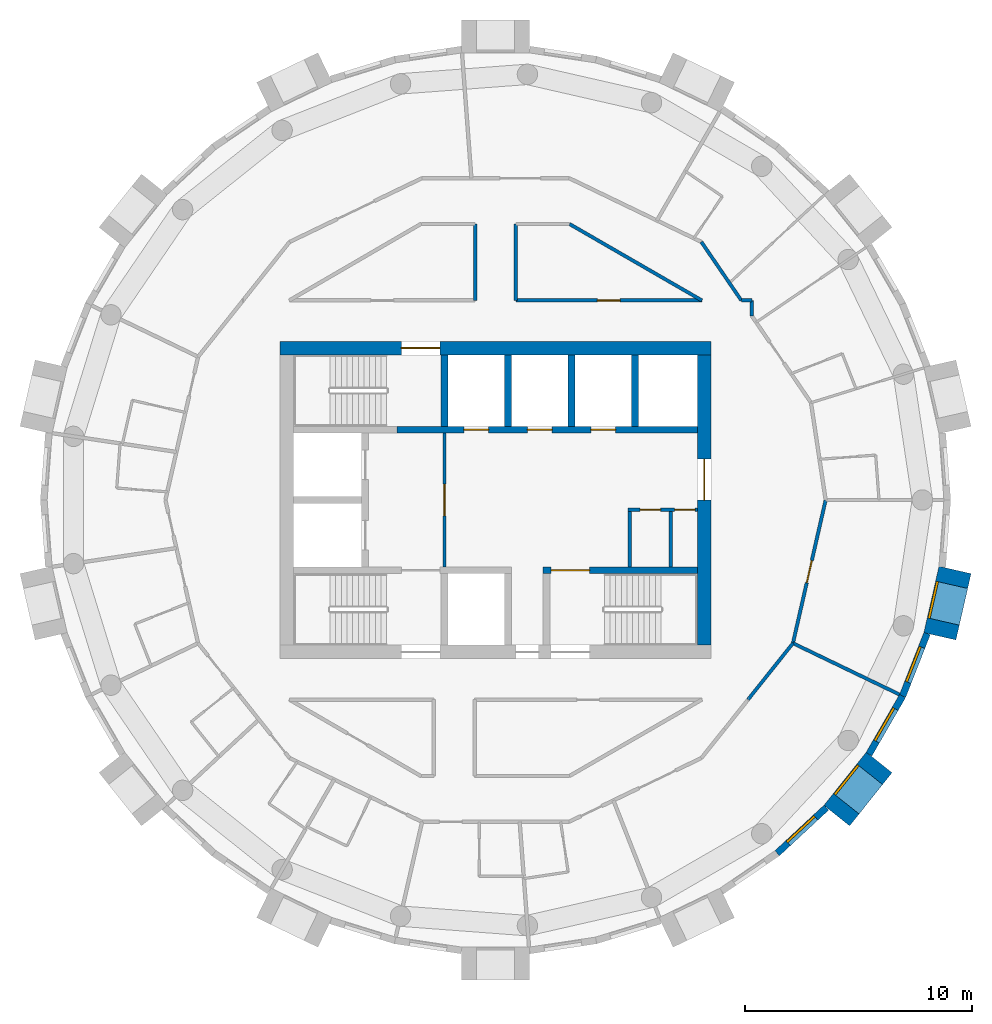
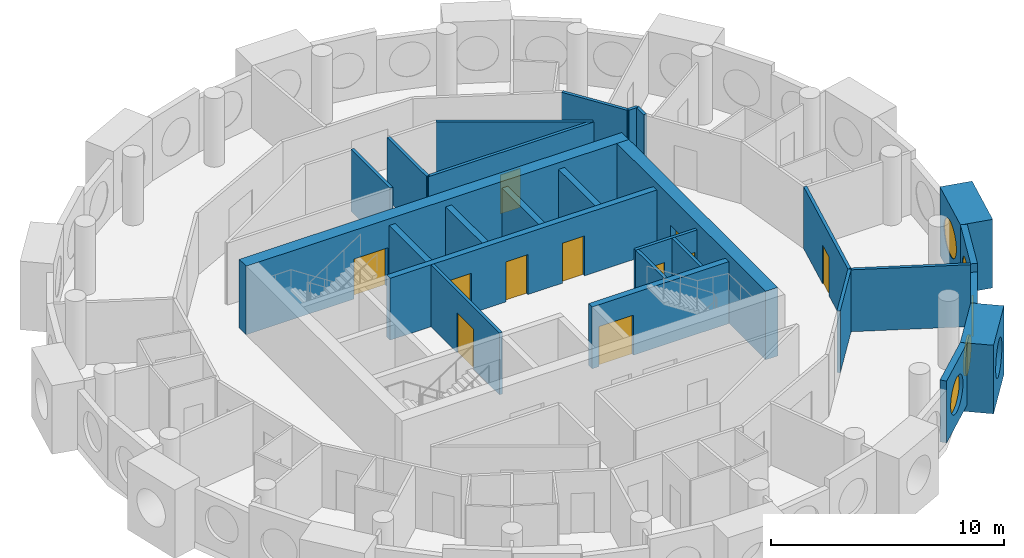
# One storey, part 8 of 12: 27 walls, 11 doors, 5 windows, 16 openings.
"""IFC4 building model written with IfcOpenShell, lengths in metres."""

from ifc_helpers import new_model, si_unit, direction, frame, frame_2d, origin, origin_2d, place, context, subcontext, project, spatial, rectangle, circle, extrude, material, layer, layer_set, type_object, element, fill, save


model = new_model("IFC4")

# Units and contexts
model_context = context("Model", 3, precision=1e-05, world=origin(), true_north=direction((0.0, 1.0)))
body_context = subcontext(model_context, "Body", "Model", "MODEL_VIEW")
ifc_project = project(units=[si_unit("LENGTHUNIT", "METRE"), si_unit("AREAUNIT", "SQUARE_METRE"), si_unit("VOLUMEUNIT", "CUBIC_METRE"), si_unit("PLANEANGLEUNIT", "RADIAN"), si_unit("MASSUNIT", "GRAM", prefix="KILO")], contexts=[model_context])

# Site, building, storey
site_placement = place(None, origin())
site = spatial("IfcSite", under=ifc_project, at=site_placement, CompositionType="ELEMENT")
building_placement = place(site_placement, origin())
building = spatial("IfcBuilding", under=site, at=building_placement, Name="Tracery Tower", CompositionType="ELEMENT")
storey_placement = place(building_placement, frame((0.0, 0.0, 287.39990234375)))
storey = spatial("IfcBuildingStorey", under=building, at=storey_placement, Name="L74", CompositionType="ELEMENT", Elevation=287.39990234375)

# Wall, opening, door
ifc_material_1 = material(Name="Plasterboard on steel studs", Category="steel")
ifc_layer_1 = layer(ifc_material_1, 0.14990234375)
ifc_layer_set_1 = layer_set([ifc_layer_1], Name="Core lobby partition 150")
wall_type_1 = type_object("IfcWallType", Name="Core lobby partition 150", PredefinedType="SOLIDWALL", material=ifc_layer_set_1)
wall_1_placement = place(storey_placement, frame((-2.25, -2.949951171875, 0.0), z_axis=(0.0, 0.0, 1.0), x_axis=(0.0, 1.0, 0.0)))
wall_1 = element("IfcWall", 1, at=wall_1_placement, inside=storey, type_object=wall_type_1, Name="L74 FF lobby E", PredefinedType="SOLIDWALL", context=body_context, shape_type="SweptSolid", body=[
    extrude(rectangle(XDim=5.89990234375, YDim=0.14990234375, at=frame_2d((2.949951171875, 0.0))), origin(), (0.0, 0.0, 1.0), 3.25),
])
opening_1_placement = place(wall_1_placement, frame((2.25, 0.0, 0.0)))
opening_1 = element("IfcOpeningElement", 2, at=opening_1_placement, cuts=wall_1, Name="Opening KD8", PredefinedType="OPENING", context=body_context, shape_type="SweptSolid", body=[
    extrude(rectangle(XDim=1.39990234375, YDim=2.10009765625, at=frame_2d((0.699951171875, 1.050048828125))), frame((0.0, 0.074951171875, 0.0), z_axis=(0.0, -1.0, 0.0), x_axis=(1.0, 0.0, 0.0)), (0.0, 0.0, 1.0), 0.14990234375),
])
ifc_material_2 = material(Name="Steel fire door", Category="steel")
door_type_1 = type_object("IfcDoorType", Name="Core lobby door 1400 double", OperationType="NOTDEFINED", PredefinedType="DOOR", material=ifc_material_2)
door_1_placement = place(opening_1_placement, origin())
door_1 = element("IfcDoor", 3, at=door_1_placement, inside=storey, type_object=door_type_1, Name="Fire-fighting lobby door", OperationType="DOUBLE_DOOR_SINGLE_SWING", OverallHeight=2.10009765625, OverallWidth=1.39990234375, PredefinedType="DOOR", context=body_context, shape_type="SweptSolid", body=[
    extrude(rectangle(XDim=1.39990234375, YDim=2.10009765625, at=frame_2d((0.699951171875, 1.050048828125))), frame((0.0, 0.02490234375, 0.0), z_axis=(0.0, -1.0, 0.0), x_axis=(1.0, 0.0, 0.0)), (0.0, 0.0, 1.0), 0.050048828125),
])
fill(opening_1, door_1)

# Wall
ifc_material_3 = material(Name="Plasterboard on steel studs", Category="steel")
ifc_layer_2 = layer(ifc_material_3, 0.14990234375)
ifc_layer_set_2 = layer_set([ifc_layer_2], Name="Core room partition 150")
wall_type_2 = type_object("IfcWallType", Name="Core room partition 150", PredefinedType="SOLIDWALL", material=ifc_layer_set_2)
wall_2_placement = place(storey_placement, frame((5.925048828125, -2.949951171875, 0.0), z_axis=(0.0, 0.0, 1.0), x_axis=(0.0, 1.0, 0.0)))
element("IfcWall", 4, at=wall_2_placement, inside=storey, type_object=wall_type_2, Name="L74 slot W", PredefinedType="SOLIDWALL", context=body_context, shape_type="SweptSolid", body=[
    extrude(rectangle(XDim=2.449951171875, YDim=0.14990234375, at=frame_2d((1.22509765625, 0.0))), origin(), (0.0, 0.0, 1.0), 3.25),
])

# Wall, openings, doors
wall_3_placement = place(storey_placement, frame((5.85009765625, -0.425048828125, 0.0), z_axis=(0.0, 0.0, 1.0), x_axis=(1.0, 0.0, 0.0)))
wall_3 = element("IfcWall", 5, at=wall_3_placement, inside=storey, type_object=wall_type_2, Name="L74 slot N", PredefinedType="SOLIDWALL", context=body_context, shape_type="SweptSolid", body=[
    extrude(rectangle(XDim=3.0498046875, YDim=0.14990234375, at=frame_2d((1.52490234375, 0.0))), origin(), (0.0, 0.0, 1.0), 3.25),
])
opening_2_placement = place(wall_3_placement, frame((0.52490234375, 0.0, 0.0)))
opening_2 = element("IfcOpeningElement", 6, at=opening_2_placement, cuts=wall_3, Name="Opening KD22", PredefinedType="OPENING", context=body_context, shape_type="SweptSolid", body=[
    extrude(rectangle(XDim=0.89990234375, YDim=2.10009765625, at=frame_2d((0.449951171875, 1.050048828125))), frame((0.0, 0.074951171875, 0.0), z_axis=(0.0, -1.0, 0.0), x_axis=(1.0, 0.0, 0.0)), (0.0, 0.0, 1.0), 0.14990234375),
])
opening_3_placement = place(wall_3_placement, frame((2.050048828125, 0.0, 0.0)))
opening_3 = element("IfcOpeningElement", 7, at=opening_3_placement, cuts=wall_3, Name="Opening KD26", PredefinedType="OPENING", context=body_context, shape_type="SweptSolid", body=[
    extrude(rectangle(XDim=0.89990234375, YDim=2.10009765625, at=frame_2d((0.449951171875, 1.050048828125))), frame((0.0, 0.074951171875, 0.0), z_axis=(0.0, -1.0, 0.0), x_axis=(1.0, 0.0, 0.0)), (0.0, 0.0, 1.0), 0.14990234375),
])
ifc_material_4 = material(Name="Timber door leaf", Category="wood")
door_type_2 = type_object("IfcDoorType", Name="Core WC door 900", OperationType="NOTDEFINED", PredefinedType="DOOR", material=ifc_material_4)
door_2_placement = place(opening_2_placement, origin())
door_2 = element("IfcDoor", 8, at=door_2_placement, inside=storey, type_object=door_type_2, Name="Core door", OperationType="SINGLE_SWING_RIGHT", OverallHeight=2.10009765625, OverallWidth=0.89990234375, PredefinedType="DOOR", context=body_context, shape_type="SweptSolid", body=[
    extrude(rectangle(XDim=0.89990234375, YDim=2.10009765625, at=frame_2d((0.449951171875, 1.050048828125))), frame((0.0, 0.02490234375, 0.0), z_axis=(0.0, -1.0, 0.0), x_axis=(1.0, 0.0, 0.0)), (0.0, 0.0, 1.0), 0.050048828125),
])
fill(opening_2, door_2)
ifc_material_5 = material(Name="Timber door leaf", Category="wood")
door_type_3 = type_object("IfcDoorType", Name="Core store door 900", OperationType="NOTDEFINED", PredefinedType="DOOR", material=ifc_material_5)
door_3_placement = place(opening_3_placement, origin())
door_3 = element("IfcDoor", 9, at=door_3_placement, inside=storey, type_object=door_type_3, Name="Core door", OperationType="SINGLE_SWING_LEFT", OverallHeight=2.10009765625, OverallWidth=0.89990234375, PredefinedType="DOOR", context=body_context, shape_type="SweptSolid", body=[
    extrude(rectangle(XDim=0.89990234375, YDim=2.10009765625, at=frame_2d((0.449951171875, 1.050048828125))), frame((0.0, 0.02490234375, 0.0), z_axis=(0.0, -1.0, 0.0), x_axis=(1.0, 0.0, 0.0)), (0.0, 0.0, 1.0), 0.050048828125),
])
fill(opening_3, door_3)

# Wall
wall_4_placement = place(storey_placement, frame((7.72509765625, -2.949951171875, 0.0), z_axis=(0.0, 0.0, 1.0), x_axis=(0.0, 1.0, 0.0)))
element("IfcWall", 10, at=wall_4_placement, inside=storey, type_object=wall_type_2, Name="L74 slot sep 1", PredefinedType="SOLIDWALL", context=body_context, shape_type="SweptSolid", body=[
    extrude(rectangle(XDim=2.449951171875, YDim=0.14990234375, at=frame_2d((1.22509765625, 0.0))), origin(), (0.0, 0.0, 1.0), 3.25),
])

# Wall, opening, door
ifc_material_6 = material(Name="Concrete C40/50", Category="concrete")
ifc_layer_3 = layer(ifc_material_6, 0.60009765625)
ifc_layer_set_3 = layer_set([ifc_layer_3], Name="Core wall 600 C40")
wall_type_3 = type_object("IfcWallType", Name="Core wall 600 C40", PredefinedType="SOLIDWALL", material=ifc_layer_set_3)
wall_5_placement = place(storey_placement, frame((-9.5, 6.699951171875, 0.0), z_axis=(0.0, 0.0, 1.0), x_axis=(1.0, 0.0, 0.0)))
wall_5 = element("IfcWall", 11, at=wall_5_placement, inside=storey, type_object=wall_type_3, Name="L74 outer N", PredefinedType="SOLIDWALL", context=body_context, shape_type="SweptSolid", body=[
    extrude(rectangle(XDim=19.0, YDim=0.60009765625, at=frame_2d((9.5, 0.0))), origin(), (0.0, 0.0, 1.0), 3.60009765625),
])
opening_4_placement = place(wall_5_placement, frame((5.35009765625, 0.0, 0.0)))
opening_4 = element("IfcOpeningElement", 12, at=opening_4_placement, cuts=wall_5, Name="Opening KD3", PredefinedType="OPENING", context=body_context, shape_type="SweptSolid", body=[
    extrude(rectangle(XDim=1.699951171875, YDim=2.10009765625, at=frame_2d((0.85009765625, 1.050048828125))), frame((0.0, 0.300048828125, 0.0), z_axis=(0.0, -1.0, 0.0), x_axis=(1.0, 0.0, 0.0)), (0.0, 0.0, 1.0), 0.60009765625),
])
ifc_material_7 = material(Name="Steel fire door", Category="steel")
door_type_4 = type_object("IfcDoorType", Name="Core stair door 1700 double", OperationType="NOTDEFINED", PredefinedType="DOOR", material=ifc_material_7)
door_4_placement = place(opening_4_placement, origin())
door_4 = element("IfcDoor", 13, at=door_4_placement, inside=storey, type_object=door_type_4, Name="Stair door ST3 exit", OperationType="DOUBLE_DOOR_SINGLE_SWING", OverallHeight=2.10009765625, OverallWidth=1.699951171875, PredefinedType="DOOR", context=body_context, shape_type="SweptSolid", body=[
    extrude(rectangle(XDim=1.699951171875, YDim=2.10009765625, at=frame_2d((0.85009765625, 1.050048828125))), frame((0.0, 0.02490234375, 0.0), z_axis=(0.0, -1.0, 0.0), x_axis=(1.0, 0.0, 0.0)), (0.0, 0.0, 1.0), 0.050048828125),
])
fill(opening_4, door_4)

wall_6_placement = place(storey_placement, frame((9.199951171875, -6.39990234375, 0.0), z_axis=(0.0, 0.0, 1.0), x_axis=(0.0, 1.0, 0.0)))
wall_6 = element("IfcWall", 14, at=wall_6_placement, inside=storey, type_object=wall_type_3, Name="L74 outer E", PredefinedType="SOLIDWALL", context=body_context, shape_type="SweptSolid", body=[
    extrude(rectangle(XDim=12.7998046875, YDim=0.60009765625, at=frame_2d((6.39990234375, 0.0))), origin(), (0.0, 0.0, 1.0), 3.60009765625),
])
opening_5_placement = place(wall_6_placement, frame((6.39990234375, 0.0, 0.0)))
opening_5 = element("IfcOpeningElement", 15, at=opening_5_placement, cuts=wall_6, Name="Opening KD13", PredefinedType="OPENING", context=body_context, shape_type="SweptSolid", body=[
    extrude(rectangle(XDim=1.800048828125, YDim=2.10009765625, at=frame_2d((0.89990234375, 1.050048828125))), frame((0.0, 0.300048828125, 0.0), z_axis=(0.0, -1.0, 0.0), x_axis=(1.0, 0.0, 0.0)), (0.0, 0.0, 1.0), 0.60009765625),
])
ifc_material_8 = material(Name="Steel fire door", Category="steel")
door_type_5 = type_object("IfcDoorType", Name="Core exit door 1800 double", OperationType="NOTDEFINED", PredefinedType="DOOR", material=ifc_material_8)
door_5_placement = place(opening_5_placement, origin())
door_5 = element("IfcDoor", 16, at=door_5_placement, inside=storey, type_object=door_type_5, Name="Core exit door", OperationType="DOUBLE_DOOR_SINGLE_SWING", OverallHeight=2.10009765625, OverallWidth=1.800048828125, PredefinedType="DOOR", context=body_context, shape_type="SweptSolid", body=[
    extrude(rectangle(XDim=1.800048828125, YDim=2.10009765625, at=frame_2d((0.89990234375, 1.050048828125))), frame((0.0, 0.02490234375, 0.0), z_axis=(0.0, -1.0, 0.0), x_axis=(1.0, 0.0, 0.0)), (0.0, 0.0, 1.0), 0.050048828125),
])
fill(opening_5, door_5)

# Wall, opening, window
ifc_material_9 = material(Name="Precast concrete C50/60", Category="concrete")
ifc_layer_4 = layer(ifc_material_9, 1.449951171875)
ifc_layer_set_4 = layer_set([ifc_layer_4], Name="Deep-set bay unit 3000 x 3600, slab edge 350")
wall_type_4 = type_object("IfcWallType", Name="Deep-set bay unit 3000 x 3600, slab edge 350", PredefinedType="ELEMENTEDWALL", material=ifc_layer_set_4)
wall_7_placement = place(storey_placement, frame((15.046142578125, -13.91748046875, -0.349853515625), z_axis=(0.0, 0.0, 1.0), x_axis=(0.623523286312, 0.781804778335, 0.0)))
wall_7 = element("IfcWall", 17, at=wall_7_placement, inside=storey, type_object=wall_type_4, Name="Deep-set bay unit 38 at L74", PredefinedType="ELEMENTEDWALL", context=body_context, shape_type="SweptSolid", body=[
    extrude(rectangle(XDim=3.0, YDim=1.449951171875, at=frame_2d((1.5, 0.0))), origin(), (0.0, 0.0, 1.0), 3.599853515625),
])
opening_6_placement = place(wall_7_placement, frame((1.5, 0.0, 1.89990234375)))
opening_6 = element("IfcOpeningElement", 18, at=opening_6_placement, cuts=wall_7, Name="Opening WN1", PredefinedType="OPENING", context=body_context, shape_type="SweptSolid", body=[
    extrude(circle(Radius=0.9000244140625, at=origin_2d()), frame((0.0, 0.73486328125, 0.0), z_axis=(0.0, -1.0, 0.0), x_axis=(1.0, 0.0, 0.0)), (0.0, 0.0, 1.0), 1.469970703125),
])
ifc_material_10 = material(Name="Aluminium frame with tinted double glazing", Category="aluminium")
window_type = type_object("IfcWindowType", Name="Round window 1800", PartitioningType="SINGLE_PANEL", PredefinedType="WINDOW", material=ifc_material_10)
window_1_placement = place(opening_6_placement, origin())
window_1 = element("IfcWindow", 19, at=window_1_placement, inside=storey, type_object=window_type, Name="Round window 38 at L74", OverallHeight=1.800048828125, OverallWidth=1.800048828125, PartitioningType="SINGLE_PANEL", PredefinedType="WINDOW", context=body_context, shape_type="SweptSolid", body=[
    extrude(circle(Radius=0.9000244140625, at=origin_2d()), frame((0.0, 0.69482421875, 0.0), z_axis=(0.0, -1.0, 0.0), x_axis=(1.0, 0.0, 0.0)), (0.0, 0.0, 1.0), 0.10009765625),
])
fill(opening_6, window_1)

wall_8_placement = place(storey_placement, frame((19.5947265625, -6.010986328125, -0.349853515625), z_axis=(0.0, 0.0, 1.0), x_axis=(0.222570682856, 0.974916555985, 0.0)))
wall_8 = element("IfcWall", 20, at=wall_8_placement, inside=storey, type_object=wall_type_4, Name="Deep-set bay unit 41 at L74", PredefinedType="ELEMENTEDWALL", context=body_context, shape_type="SweptSolid", body=[
    extrude(rectangle(XDim=3.0, YDim=1.449951171875, at=frame_2d((1.5, 0.0))), origin(), (0.0, 0.0, 1.0), 3.599853515625),
])
opening_7_placement = place(wall_8_placement, frame((1.5, 0.0, 1.89990234375)))
opening_7 = element("IfcOpeningElement", 21, at=opening_7_placement, cuts=wall_8, Name="Opening WN1", PredefinedType="OPENING", context=body_context, shape_type="SweptSolid", body=[
    extrude(circle(Radius=0.9000244140625, at=origin_2d()), frame((0.0, 0.73486328125, 0.0), z_axis=(0.0, -1.0, 0.0), x_axis=(1.0, 0.0, 0.0)), (0.0, 0.0, 1.0), 1.469970703125),
])
window_2_placement = place(opening_7_placement, origin())
window_2 = element("IfcWindow", 22, at=window_2_placement, inside=storey, type_object=window_type, Name="Round window 41 at L74", OverallHeight=1.800048828125, OverallWidth=1.800048828125, PartitioningType="SINGLE_PANEL", PredefinedType="WINDOW", context=body_context, shape_type="SweptSolid", body=[
    extrude(circle(Radius=0.9000244140625, at=origin_2d()), frame((0.0, 0.69482421875, 0.0), z_axis=(0.0, -1.0, 0.0), x_axis=(1.0, 0.0, 0.0)), (0.0, 0.0, 1.0), 0.10009765625),
])
fill(opening_7, window_2)

ifc_material_11 = material(Name="Precast concrete C50/60", Category="concrete")
ifc_layer_5 = layer(ifc_material_11, 0.300048828125)
ifc_layer_set_5 = layer_set([ifc_layer_5], Name="Facade panel 3000 x 2800")
wall_type_5 = type_object("IfcWallType", Name="Facade panel 3000 x 2800", PredefinedType="SOLIDWALL", material=ifc_layer_set_5)
wall_9_placement = place(storey_placement, frame((16.4677734375, -11.209228515625, 0.0), z_axis=(0.0, 0.0, 1.0), x_axis=(0.500012570604, 0.866018146021, 0.0)))
wall_9 = element("IfcWall", 23, at=wall_9_placement, inside=storey, type_object=wall_type_5, Name="Facade panel 39 at L74", PredefinedType="SOLIDWALL", context=body_context, shape_type="SweptSolid", body=[
    extrude(rectangle(XDim=2.96240234375, YDim=0.300048828125, at=frame_2d((1.481201171875, 0.0))), origin(), (0.0, 0.0, 1.0), 2.800048828125),
])
opening_8_placement = place(wall_9_placement, frame((1.48095703125, 0.0, 1.5498046875)))
opening_8 = element("IfcOpeningElement", 24, at=opening_8_placement, cuts=wall_9, Name="Opening WN1", PredefinedType="OPENING", context=body_context, shape_type="SweptSolid", body=[
    extrude(circle(Radius=0.9000244140625, at=origin_2d()), frame((0.0, 0.159912109375, 0.0), z_axis=(0.0, -1.0, 0.0), x_axis=(1.0, 0.0, 0.0)), (0.0, 0.0, 1.0), 0.320068359375),
])
window_3_placement = place(opening_8_placement, origin())
window_3 = element("IfcWindow", 25, at=window_3_placement, inside=storey, type_object=window_type, Name="Round window 39 at L74", OverallHeight=1.800048828125, OverallWidth=1.800048828125, PartitioningType="SINGLE_PANEL", PredefinedType="WINDOW", context=body_context, shape_type="SweptSolid", body=[
    extrude(circle(Radius=0.9000244140625, at=origin_2d()), frame((0.0, 0.1201171875, 0.0), z_axis=(0.0, -1.0, 0.0), x_axis=(1.0, 0.0, 0.0)), (0.0, 0.0, 1.0), 0.10009765625),
])
fill(opening_8, window_3)

ifc_material_12 = material(Name="Precast concrete C50/60", Category="concrete")
ifc_layer_6 = layer(ifc_material_12, 0.300048828125)
ifc_layer_set_6 = layer_set([ifc_layer_6], Name="Facade panel 3000 x 3250")
wall_type_6 = type_object("IfcWallType", Name="Facade panel 3000 x 3250", PredefinedType="SOLIDWALL", material=ifc_layer_set_6)
wall_10_placement = place(storey_placement, frame((12.421142578125, -15.575439453125, 0.0), z_axis=(0.0, 0.0, 1.0), x_axis=(0.733028283666, 0.680198158882, 0.0)))
wall_10 = element("IfcWall", 26, at=wall_10_placement, inside=storey, type_object=wall_type_6, Name="Facade panel 37 at L74", PredefinedType="SOLIDWALL", context=body_context, shape_type="SweptSolid", body=[
    extrude(rectangle(XDim=2.962158203125, YDim=0.300048828125, at=frame_2d((1.48095703125, 0.0))), origin(), (0.0, 0.0, 1.0), 3.25),
])
opening_9_placement = place(wall_10_placement, frame((1.48095703125, 0.0, 1.5498046875)))
opening_9 = element("IfcOpeningElement", 27, at=opening_9_placement, cuts=wall_10, Name="Opening WN1", PredefinedType="OPENING", context=body_context, shape_type="SweptSolid", body=[
    extrude(circle(Radius=0.9000244140625, at=origin_2d()), frame((0.0, 0.159912109375, 0.0), z_axis=(0.0, -1.0, 0.0), x_axis=(1.0, 0.0, 0.0)), (0.0, 0.0, 1.0), 0.320068359375),
])
window_4_placement = place(opening_9_placement, origin())
window_4 = element("IfcWindow", 28, at=window_4_placement, inside=storey, type_object=window_type, Name="Round window 37 at L74", OverallHeight=1.800048828125, OverallWidth=1.800048828125, PartitioningType="SINGLE_PANEL", PredefinedType="WINDOW", context=body_context, shape_type="SweptSolid", body=[
    extrude(circle(Radius=0.9000244140625, at=origin_2d()), frame((0.0, 0.1201171875, 0.0), z_axis=(0.0, -1.0, 0.0), x_axis=(1.0, 0.0, 0.0)), (0.0, 0.0, 1.0), 0.10009765625),
])
fill(opening_9, window_4)

wall_11_placement = place(storey_placement, frame((17.948974609375, -8.643798828125, 0.0), z_axis=(0.0, 0.0, 1.0), x_axis=(0.365343821297, 0.930872650925, 0.0)))
wall_11 = element("IfcWall", 29, at=wall_11_placement, inside=storey, type_object=wall_type_6, Name="Facade panel 40 at L74", PredefinedType="SOLIDWALL", context=body_context, shape_type="SweptSolid", body=[
    extrude(rectangle(XDim=2.96240234375, YDim=0.300048828125, at=frame_2d((1.481201171875, 0.0))), origin(), (0.0, 0.0, 1.0), 3.25),
])
opening_10_placement = place(wall_11_placement, frame((1.48095703125, 0.0, 1.5498046875)))
opening_10 = element("IfcOpeningElement", 30, at=opening_10_placement, cuts=wall_11, Name="Opening WN1", PredefinedType="OPENING", context=body_context, shape_type="SweptSolid", body=[
    extrude(circle(Radius=0.9000244140625, at=origin_2d()), frame((0.0, 0.159912109375, 0.0), z_axis=(0.0, -1.0, 0.0), x_axis=(1.0, 0.0, 0.0)), (0.0, 0.0, 1.0), 0.320068359375),
])
window_5_placement = place(opening_10_placement, origin())
window_5 = element("IfcWindow", 31, at=window_5_placement, inside=storey, type_object=window_type, Name="Round window 40 at L74", OverallHeight=1.800048828125, OverallWidth=1.800048828125, PartitioningType="SINGLE_PANEL", PredefinedType="WINDOW", context=body_context, shape_type="SweptSolid", body=[
    extrude(circle(Radius=0.9000244140625, at=origin_2d()), frame((0.0, 0.1201171875, 0.0), z_axis=(0.0, -1.0, 0.0), x_axis=(1.0, 0.0, 0.0)), (0.0, 0.0, 1.0), 0.10009765625),
])
fill(opening_10, window_5)

# Wall
ifc_material_13 = material(Name="Plasterboard on steel studs", Category="steel")
ifc_layer_7 = layer(ifc_material_13, 0.14990234375)
ifc_layer_set_7 = layer_set([ifc_layer_7], Name="Partition 150 acoustic unit wall")
wall_type_7 = type_object("IfcWallType", Name="Partition 150 acoustic unit wall", PredefinedType="PARTITIONING", material=ifc_layer_set_7)
wall_12_placement = place(storey_placement, frame((13.114990234375, -6.31591796875, 0.0), z_axis=(0.0, 0.0, 1.0), x_axis=(0.901004381064, -0.433809987557, 0.0)))
element("IfcWall", 32, at=wall_12_placement, inside=storey, type_object=wall_type_7, Name="Unit wall RC6-087", PredefinedType="PARTITIONING", context=body_context, shape_type="SweptSolid", body=[
    extrude(rectangle(XDim=5.214111328125, YDim=0.14990234375, at=frame_2d((2.60693359375, 0.0))), origin(), (0.0, 0.0, 1.0), 3.25),
])

# Wall, opening, door
ifc_material_14 = material(Name="Plasterboard on steel studs", Category="steel")
ifc_layer_8 = layer(ifc_material_14, 0.14990234375)
ifc_layer_set_8 = layer_set([ifc_layer_8], Name="Partition 150 corridor wall")
wall_type_8 = type_object("IfcWallType", Name="Partition 150 corridor wall", PredefinedType="PARTITIONING", material=ifc_layer_set_8)
wall_13_placement = place(storey_placement, frame((0.89599609375, 8.800048828125, 0.0), z_axis=(0.0, 0.0, 1.0), x_axis=(1.0, 0.0, 0.0)))
wall_13 = element("IfcWall", 33, at=wall_13_placement, inside=storey, type_object=wall_type_8, Name="Corridor wall RC6-003", PredefinedType="PARTITIONING", context=body_context, shape_type="SweptSolid", body=[
    extrude(rectangle(XDim=8.20458984375, YDim=0.14990234375, at=frame_2d((4.102294921875, 0.0))), origin(), (0.0, 0.0, 1.0), 3.25),
])
opening_11_placement = place(wall_13_placement, frame((3.597900390625, 0.0, 0.0)))
opening_11 = element("IfcOpeningElement", 34, at=opening_11_placement, cuts=wall_13, Name="Opening RC6-02", PredefinedType="OPENING", context=body_context, shape_type="SweptSolid", body=[
    extrude(rectangle(XDim=1.0, YDim=2.0400390625, at=frame_2d((0.5, 1.02001953125))), frame((0.0, 0.074951171875, 0.0), z_axis=(0.0, -1.0, 0.0), x_axis=(1.0, 0.0, 0.0)), (0.0, 0.0, 1.0), 0.14990234375),
])
ifc_material_15 = material(Name="Timber door leaf", Category="wood")
door_type_6 = type_object("IfcDoorType", Name="Door communal room 1000", OperationType="NOTDEFINED", PredefinedType="DOOR", material=ifc_material_15)
door_6_placement = place(opening_11_placement, origin())
door_6 = element("IfcDoor", 35, at=door_6_placement, inside=storey, type_object=door_type_6, Name="Communal room door RC6-02", OperationType="SINGLE_SWING_RIGHT", OverallHeight=2.0400390625, OverallWidth=1.0, PredefinedType="DOOR", context=body_context, shape_type="SweptSolid", body=[
    extrude(rectangle(XDim=1.0, YDim=2.0400390625, at=frame_2d((0.5, 1.02001953125))), frame((0.0, 0.02490234375, 0.0), z_axis=(0.0, -1.0, 0.0), x_axis=(1.0, 0.0, 0.0)), (0.0, 0.0, 1.0), 0.050048828125),
])
fill(opening_11, door_6)

# Walls
wall_14_placement = place(storey_placement, frame((9.075439453125, 11.380615234375, 0.0), z_axis=(0.0, 0.0, 1.0), x_axis=(0.564277533473, -0.825585165333, 0.0)))
element("IfcWall", 36, at=wall_14_placement, inside=storey, type_object=wall_type_8, Name="Corridor wall RC6-005", PredefinedType="PARTITIONING", context=body_context, shape_type="SweptSolid", body=[
    extrude(rectangle(XDim=3.123291015625, YDim=0.14990234375, at=frame_2d((1.5615234375, 0.0))), origin(), (0.0, 0.0, 1.0), 3.25),
])
wall_15_placement = place(storey_placement, frame((10.839111328125, 8.800048828125, 0.0), z_axis=(0.0, 0.0, 1.0), x_axis=(1.0, 0.0, 0.0)))
element("IfcWall", 37, at=wall_15_placement, inside=storey, type_object=wall_type_8, Name="Corridor wall RC6-006", PredefinedType="PARTITIONING", context=body_context, shape_type="SweptSolid", body=[
    extrude(rectangle(XDim=0.4609375, YDim=0.14990234375, at=frame_2d((0.23046875, 0.0))), origin(), (0.0, 0.0, 1.0), 3.25),
])
wall_16_placement = place(storey_placement, frame((11.300048828125, 8.113037109375, 0.0), z_axis=(0.0, 0.0, 1.0), x_axis=(0.0, 1.0, 0.0)))
element("IfcWall", 38, at=wall_16_placement, inside=storey, type_object=wall_type_8, Name="Corridor wall RC6-007", PredefinedType="PARTITIONING", context=body_context, shape_type="SweptSolid", body=[
    extrude(rectangle(XDim=0.68701171875, YDim=0.14990234375, at=frame_2d((0.343505859375, 0.0))), origin(), (0.0, 0.0, 1.0), 3.25),
])
wall_17_placement = place(storey_placement, frame((11.134033203125, -8.800048828125, 0.0), z_axis=(0.0, 0.0, 1.0), x_axis=(0.623476099415, 0.781842409606, 0.0)))
element("IfcWall", 39, at=wall_17_placement, inside=storey, type_object=wall_type_8, Name="Corridor wall RC6-023", PredefinedType="PARTITIONING", context=body_context, shape_type="SweptSolid", body=[
    extrude(rectangle(XDim=3.17724609375, YDim=0.14990234375, at=frame_2d((1.588623046875, 0.0))), origin(), (0.0, 0.0, 1.0), 3.25),
])

# Wall, opening, door
wall_18_placement = place(storey_placement, frame((13.114990234375, -6.31591796875, 0.0), z_axis=(0.0, 0.0, 1.0), x_axis=(0.222568978642, 0.97491694505, 0.0)))
wall_18 = element("IfcWall", 40, at=wall_18_placement, inside=storey, type_object=wall_type_8, Name="Corridor wall RC6-024", PredefinedType="PARTITIONING", context=body_context, shape_type="SweptSolid", body=[
    extrude(rectangle(XDim=6.478515625, YDim=0.14990234375, at=frame_2d((3.2392578125, 0.0))), origin(), (0.0, 0.0, 1.0), 3.25),
])
opening_12_placement = place(wall_18_placement, frame((2.739501953125, 0.0, 0.0)))
opening_12 = element("IfcOpeningElement", 41, at=opening_12_placement, cuts=wall_18, Name="Opening RC6-31", PredefinedType="OPENING", context=body_context, shape_type="SweptSolid", body=[
    extrude(rectangle(XDim=1.0, YDim=2.0400390625, at=frame_2d((0.5, 1.02001953125))), frame((0.0, 0.074951171875, 0.0), z_axis=(0.0, -1.0, 0.0), x_axis=(1.0, 0.0, 0.0)), (0.0, 0.0, 1.0), 0.14990234375),
])
door_7_placement = place(opening_12_placement, origin())
door_7 = element("IfcDoor", 42, at=door_7_placement, inside=storey, type_object=door_type_6, Name="Communal room door RC6-31", OperationType="SINGLE_SWING_LEFT", OverallHeight=2.0400390625, OverallWidth=1.0, PredefinedType="DOOR", context=body_context, shape_type="SweptSolid", body=[
    extrude(rectangle(XDim=1.0, YDim=2.0400390625, at=frame_2d((0.5, 1.02001953125))), frame((0.0, 0.02490234375, 0.0), z_axis=(0.0, -1.0, 0.0), x_axis=(1.0, 0.0, 0.0)), (0.0, 0.0, 1.0), 0.050048828125),
])
fill(opening_12, door_7)

# Walls
wall_19_placement = place(storey_placement, frame((-0.89990234375, 8.800048828125, 0.0), z_axis=(0.0, 0.0, 1.0), x_axis=(0.0, 1.0, 0.0)))
element("IfcWall", 43, at=wall_19_placement, inside=storey, type_object=wall_type_8, Name="Corridor wall RC6-025", PredefinedType="PARTITIONING", context=body_context, shape_type="SweptSolid", body=[
    extrude(rectangle(XDim=3.370849609375, YDim=0.14990234375, at=frame_2d((1.685546875, 0.0))), origin(), (0.0, 0.0, 1.0), 3.25),
])
wall_20_placement = place(storey_placement, frame((3.260986328125, 12.1708984375, 0.0), z_axis=(0.0, 0.0, 1.0), x_axis=(0.866066809554, -0.499928276245, 0.0)))
element("IfcWall", 44, at=wall_20_placement, inside=storey, type_object=wall_type_8, Name="Corridor wall RC6-027", PredefinedType="PARTITIONING", context=body_context, shape_type="SweptSolid", body=[
    extrude(rectangle(XDim=6.74267578125, YDim=0.14990234375, at=frame_2d((3.371337890625, 0.0))), origin(), (0.0, 0.0, 1.0), 3.25),
])
wall_21_placement = place(storey_placement, frame((0.89990234375, 8.800048828125, 0.0), z_axis=(0.0, 0.0, 1.0), x_axis=(0.0, 1.0, 0.0)))
element("IfcWall", 45, at=wall_21_placement, inside=storey, type_object=wall_type_8, Name="Corridor wall RC6-029", PredefinedType="PARTITIONING", context=body_context, shape_type="SweptSolid", body=[
    extrude(rectangle(XDim=3.370849609375, YDim=0.14990234375, at=frame_2d((1.685546875, 0.0))), origin(), (0.0, 0.0, 1.0), 3.25),
])
ifc_material_16 = material(Name="Concrete C40/50", Category="concrete")
ifc_layer_9 = layer(ifc_material_16, 0.300048828125)
ifc_layer_set_9 = layer_set([ifc_layer_9], Name="Shaft wall 300 C40")
wall_type_9 = type_object("IfcWallType", Name="Shaft wall 300 C40", PredefinedType="SOLIDWALL", material=ifc_layer_set_9)
for number, where, z_axis, x_axis, name in (
    (46, (0.550048828125, 3.25, 0.0), (0.0, 0.0, 1.0), (0.0, 1.0, 0.0), "L74 HR sep 1"),
    (47, (3.35009765625, 3.25, 0.0), (0.0, 0.0, 1.0), (0.0, 1.0, 0.0), "L74 HR sep 2"),
    (48, (6.14990234375, 3.25, 0.0), (0.0, 0.0, 1.0), (0.0, 1.0, 0.0), "L74 HR sep 3"),
):
    element("IfcWall", number, at=place(storey_placement, frame(where, z_axis=z_axis, x_axis=x_axis)), inside=storey, type_object=wall_type_9, Name=name, PredefinedType="SOLIDWALL", context=body_context, shape_type="SweptSolid", body=[
        extrude(rectangle(XDim=3.14990234375, YDim=0.300048828125, at=frame_2d((1.574951171875, 0.0))), origin(), (0.0, 0.0, 1.0), 3.25),
    ])

# Wall, opening, door
ifc_material_17 = material(Name="Concrete C40/50", Category="concrete")
ifc_layer_10 = layer(ifc_material_17, 0.300048828125)
ifc_layer_set_10 = layer_set([ifc_layer_10], Name="Stair wall 300 C40")
wall_type_10 = type_object("IfcWallType", Name="Stair wall 300 C40", PredefinedType="SOLIDWALL", material=ifc_layer_set_10)
wall_22_placement = place(storey_placement, frame((2.10009765625, -3.10009765625, 0.0), z_axis=(0.0, 0.0, 1.0), x_axis=(1.0, 0.0, 0.0)))
wall_22 = element("IfcWall", 49, at=wall_22_placement, inside=storey, type_object=wall_type_10, Name="L74 row S E", PredefinedType="SOLIDWALL", context=body_context, shape_type="SweptSolid", body=[
    extrude(rectangle(XDim=6.7998046875, YDim=0.300048828125, at=frame_2d((3.39990234375, 0.0))), origin(), (0.0, 0.0, 1.0), 3.25),
])
opening_13_placement = place(wall_22_placement, frame((0.35009765625, 0.0, 0.0)))
opening_13 = element("IfcOpeningElement", 50, at=opening_13_placement, cuts=wall_22, Name="Opening KD3", PredefinedType="OPENING", context=body_context, shape_type="SweptSolid", body=[
    extrude(rectangle(XDim=1.699951171875, YDim=2.10009765625, at=frame_2d((0.85009765625, 1.050048828125))), frame((0.0, 0.14990234375, 0.0), z_axis=(0.0, -1.0, 0.0), x_axis=(1.0, 0.0, 0.0)), (0.0, 0.0, 1.0), 0.300048828125),
])
door_8_placement = place(opening_13_placement, origin())
door_8 = element("IfcDoor", 51, at=door_8_placement, inside=storey, type_object=door_type_4, Name="Stair door ST2", OperationType="DOUBLE_DOOR_SINGLE_SWING", OverallHeight=2.10009765625, OverallWidth=1.699951171875, PredefinedType="DOOR", context=body_context, shape_type="SweptSolid", body=[
    extrude(rectangle(XDim=1.699951171875, YDim=2.10009765625, at=frame_2d((0.85009765625, 1.050048828125))), frame((0.0, 0.02490234375, 0.0), z_axis=(0.0, -1.0, 0.0), x_axis=(1.0, 0.0, 0.0)), (0.0, 0.0, 1.0), 0.050048828125),
])
fill(opening_13, door_8)

# Wall, openings, doors
wall_23_placement = place(storey_placement, frame((-4.35009765625, 3.10009765625, 0.0), z_axis=(0.0, 0.0, 1.0), x_axis=(1.0, 0.0, 0.0)))
wall_23 = element("IfcWall", 52, at=wall_23_placement, inside=storey, type_object=wall_type_10, Name="L74 row N", PredefinedType="SOLIDWALL", context=body_context, shape_type="SweptSolid", body=[
    extrude(rectangle(XDim=13.25, YDim=0.300048828125, at=frame_2d((6.625, 0.0))), origin(), (0.0, 0.0, 1.0), 3.25),
])
opening_14_placement = place(wall_23_placement, frame((2.949951171875, 0.0, 0.0)))
opening_14 = element("IfcOpeningElement", 53, at=opening_14_placement, cuts=wall_23, Name="Opening KD49", PredefinedType="OPENING", context=body_context, shape_type="SweptSolid", body=[
    extrude(rectangle(XDim=1.10009765625, YDim=2.10009765625, at=frame_2d((0.550048828125, 1.050048828125))), frame((0.0, 0.14990234375, 0.0), z_axis=(0.0, -1.0, 0.0), x_axis=(1.0, 0.0, 0.0)), (0.0, 0.0, 1.0), 0.300048828125),
])
opening_15_placement = place(wall_23_placement, frame((5.75, 0.0, 0.0)))
opening_15 = element("IfcOpeningElement", 54, at=opening_15_placement, cuts=wall_23, Name="Opening KD50", PredefinedType="OPENING", context=body_context, shape_type="SweptSolid", body=[
    extrude(rectangle(XDim=1.10009765625, YDim=2.10009765625, at=frame_2d((0.550048828125, 1.050048828125))), frame((0.0, 0.14990234375, 0.0), z_axis=(0.0, -1.0, 0.0), x_axis=(1.0, 0.0, 0.0)), (0.0, 0.0, 1.0), 0.300048828125),
])
opening_16_placement = place(wall_23_placement, frame((8.550048828125, 0.0, 0.0)))
opening_16 = element("IfcOpeningElement", 55, at=opening_16_placement, cuts=wall_23, Name="Opening KD49", PredefinedType="OPENING", context=body_context, shape_type="SweptSolid", body=[
    extrude(rectangle(XDim=1.10009765625, YDim=2.10009765625, at=frame_2d((0.550048828125, 1.050048828125))), frame((0.0, 0.14990234375, 0.0), z_axis=(0.0, -1.0, 0.0), x_axis=(1.0, 0.0, 0.0)), (0.0, 0.0, 1.0), 0.300048828125),
])
ifc_material_18 = material(Name="Steel fire door", Category="steel")
door_type_7 = type_object("IfcDoorType", Name="Landing door 1100", OperationType="NOTDEFINED", PredefinedType="DOOR", material=ifc_material_18)
door_9_placement = place(opening_14_placement, origin())
door_9 = element("IfcDoor", 56, at=door_9_placement, inside=storey, type_object=door_type_7, Name="Landing door HR1", OperationType="SLIDING_TO_LEFT", OverallHeight=2.10009765625, OverallWidth=1.10009765625, PredefinedType="DOOR", context=body_context, shape_type="SweptSolid", body=[
    extrude(rectangle(XDim=1.10009765625, YDim=2.10009765625, at=frame_2d((0.550048828125, 1.050048828125))), frame((0.0, 0.02490234375, 0.0), z_axis=(0.0, -1.0, 0.0), x_axis=(1.0, 0.0, 0.0)), (0.0, 0.0, 1.0), 0.050048828125),
])
fill(opening_14, door_9)
door_10_placement = place(opening_15_placement, origin())
door_10 = element("IfcDoor", 57, at=door_10_placement, inside=storey, type_object=door_type_7, Name="Landing door HR2", OperationType="SLIDING_TO_RIGHT", OverallHeight=2.10009765625, OverallWidth=1.10009765625, PredefinedType="DOOR", context=body_context, shape_type="SweptSolid", body=[
    extrude(rectangle(XDim=1.10009765625, YDim=2.10009765625, at=frame_2d((0.550048828125, 1.050048828125))), frame((0.0, 0.02490234375, 0.0), z_axis=(0.0, -1.0, 0.0), x_axis=(1.0, 0.0, 0.0)), (0.0, 0.0, 1.0), 0.050048828125),
])
fill(opening_15, door_10)
door_11_placement = place(opening_16_placement, origin())
door_11 = element("IfcDoor", 58, at=door_11_placement, inside=storey, type_object=door_type_7, Name="Landing door HR3", OperationType="SLIDING_TO_LEFT", OverallHeight=2.10009765625, OverallWidth=1.10009765625, PredefinedType="DOOR", context=body_context, shape_type="SweptSolid", body=[
    extrude(rectangle(XDim=1.10009765625, YDim=2.10009765625, at=frame_2d((0.550048828125, 1.050048828125))), frame((0.0, 0.02490234375, 0.0), z_axis=(0.0, -1.0, 0.0), x_axis=(1.0, 0.0, 0.0)), (0.0, 0.0, 1.0), 0.050048828125),
])
fill(opening_16, door_11)

# Wall
wall_24_placement = place(storey_placement, frame((-2.25, 3.25, 0.0), z_axis=(0.0, 0.0, 1.0), x_axis=(0.0, 1.0, 0.0)))
element("IfcWall", 59, at=wall_24_placement, inside=storey, type_object=wall_type_10, Name="L74 ST3 E", PredefinedType="SOLIDWALL", context=body_context, shape_type="SweptSolid", body=[
    extrude(rectangle(XDim=3.14990234375, YDim=0.300048828125, at=frame_2d((1.574951171875, 0.0))), origin(), (0.0, 0.0, 1.0), 3.25),
])

save(model, "model.ifc")
